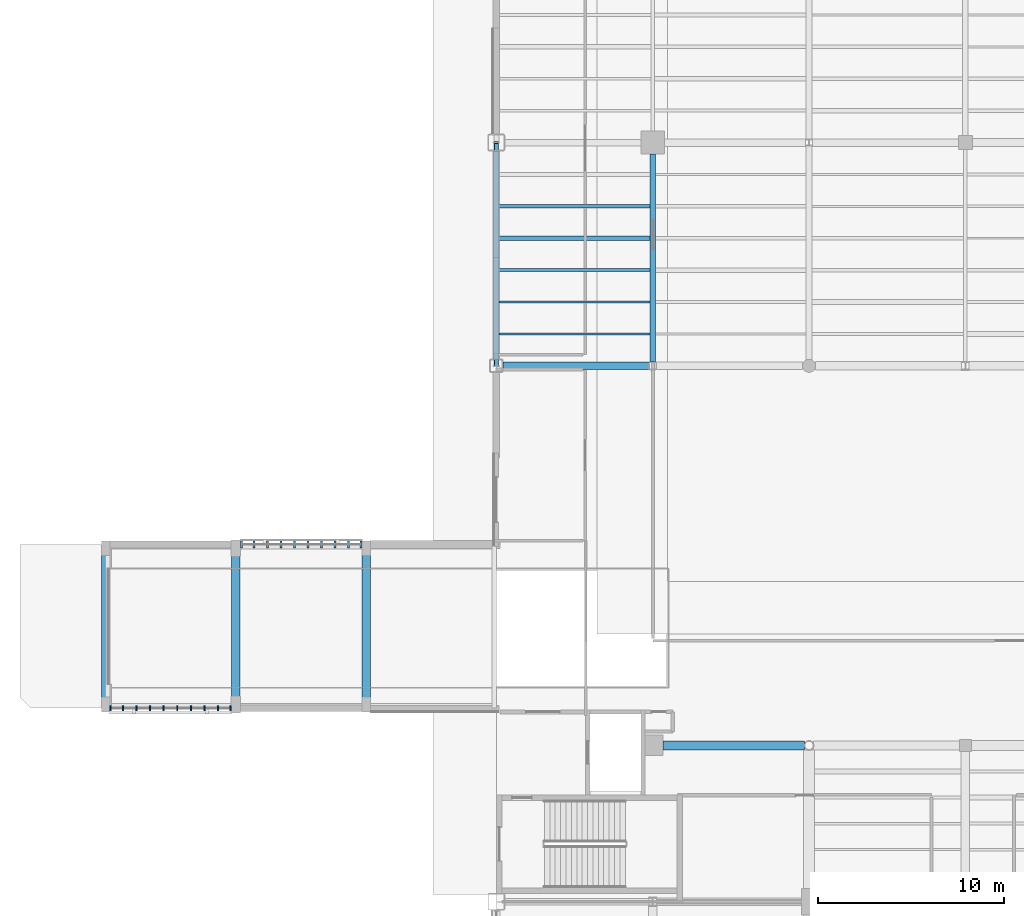
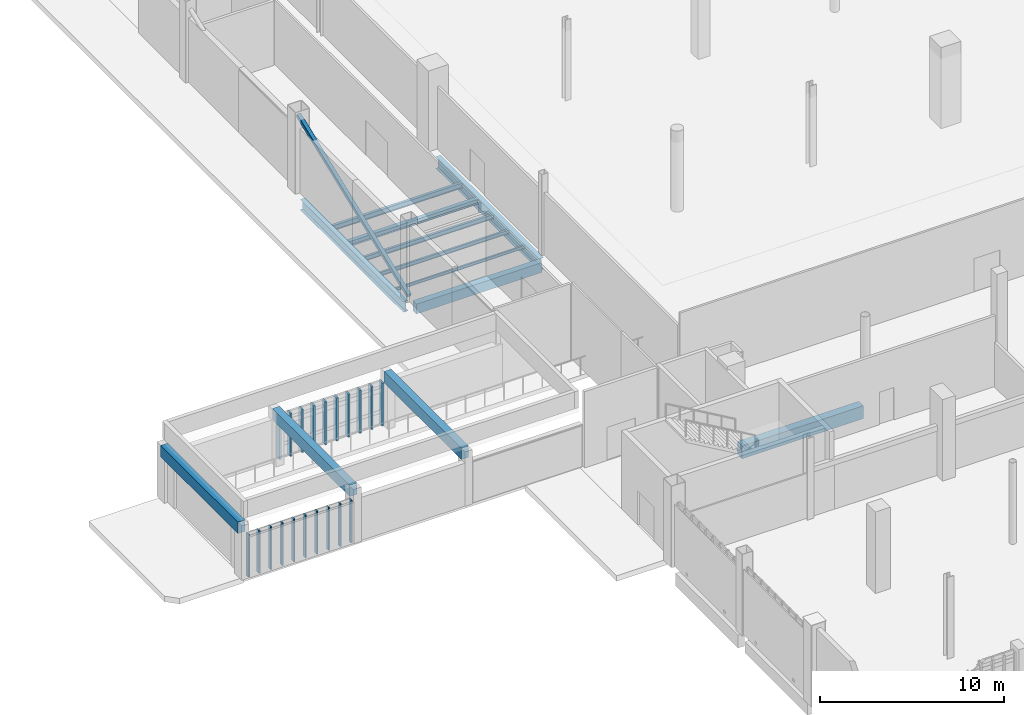
# One storey, part 16 of 111: 21 members, 12 beams, 2 elements without a shape of their own.
"""IFC4 building model written with IfcOpenShell, lengths in metres."""

from ifc_helpers import new_model, si_unit, direction, frame, origin, origin_2d, place, context, subcontext, project, spatial, rectangle, hollow_rectangle, i_section, extrude, material, material_profile, profile_set, type_object, element, aggregate, save


model = new_model("IFC4")

# Units and contexts
model_context = context("Model", 3, precision=1e-05, world=origin(), true_north=direction((0.0, 1.0)))
body_context = subcontext(model_context, "Body", "Model", "MODEL_VIEW")
ifc_project = project(units=[si_unit("LENGTHUNIT", "METRE"), si_unit("AREAUNIT", "SQUARE_METRE"), si_unit("VOLUMEUNIT", "CUBIC_METRE"), si_unit("PLANEANGLEUNIT", "RADIAN"), si_unit("MASSUNIT", "GRAM", prefix="KILO")], contexts=[model_context])

# Site, building, storey
site_placement = place(None, origin())
site = spatial("IfcSite", under=ifc_project, at=site_placement, CompositionType="ELEMENT")
building_placement = place(site_placement, origin())
building = spatial("IfcBuilding", under=site, at=building_placement, Name="Larkvane Passage Sports Hall", CompositionType="ELEMENT")
storey_placement = place(building_placement, origin())
storey = spatial("IfcBuildingStorey", under=building, at=storey_placement, Name="L00", CompositionType="ELEMENT", Elevation=0.0)

# Beams
ifc_material_1 = material(Name="Concrete C40/50", Category="concrete")
ifc_material_profile_1 = material_profile(ifc_material_1, rectangle(XDim=0.39990234375, YDim=0.64990234375, at=origin_2d()), Name="RC-BM-400x650")
ifc_profile_set_1 = profile_set([ifc_material_profile_1], Name="Concrete C40/50")
beam_type_1 = type_object("IfcBeamType", Name="BM-RC-400x650", PredefinedType="BEAM", material=ifc_profile_set_1)
beam_1_placement = place(storey_placement, frame((35.14990234375, 51.60009765625, -0.7451171875), z_axis=(1.0, 0.0, 0.0), x_axis=(0.0, 1.0, 0.0)))
element("IfcBeam", 1, at=beam_1_placement, inside=storey, type_object=beam_type_1, Name="Girder BM5-X-L00-G-0029", PredefinedType="BEAM", context=body_context, shape_type="SweptSolid", body=[
    extrude(rectangle(XDim=0.39990234375, YDim=0.64990234375, at=origin_2d()), origin(), (0.0, 0.0, 1.0), 7.85009765625),
])
ifc_material_profile_2 = material_profile(ifc_material_1, rectangle(XDim=0.449951171875, YDim=0.75, at=origin_2d()), Name="RC-BM-450x750")
ifc_profile_set_2 = profile_set([ifc_material_profile_2], Name="Concrete C40/50")
beam_type_2 = type_object("IfcBeamType", Name="BM-RC-450x750", PredefinedType="BEAM", material=ifc_profile_set_2)
for number, where, z_axis, x_axis, name in (
    (2, (13.800048828125, 33.39990234375, 3.22509765625), (0.0, 1.0, 0.0), (-1.0, 0.0, 0.0), "Ramp portal roof beam 3"),
    (3, (20.800048828125, 33.39990234375, 3.22509765625), (0.0, 1.0, 0.0), (-1.0, 0.0, 0.0), "Ramp portal roof beam 4"),
    (4, (27.800048828125, 33.39990234375, 3.22509765625), (0.0, 1.0, 0.0), (-1.0, 0.0, 0.0), "Ramp portal roof beam 5"),
):
    element("IfcBeam", number, at=place(storey_placement, frame(where, z_axis=z_axis, x_axis=x_axis)), inside=storey, type_object=beam_type_2, Name=name, PredefinedType="BEAM", context=body_context, shape_type="SweptSolid", body=[
        extrude(rectangle(XDim=0.449951171875, YDim=0.75, at=origin_2d()), origin(), (0.0, 0.0, 1.0), 8.400146484375),
    ])
ifc_material_profile_3 = material_profile(ifc_material_1, rectangle(XDim=0.5, YDim=0.85009765625, at=origin_2d()), Name="RC-BM-500x850")
ifc_profile_set_3 = profile_set([ifc_material_profile_3], Name="Concrete C40/50")
beam_type_3 = type_object("IfcBeamType", Name="BM-RC-500x850", PredefinedType="BEAM", material=ifc_profile_set_3)
beam_2_placement = place(storey_placement, frame((43.75, 31.199951171875, -0.844970703125), z_axis=(1.0, 0.0, 0.0), x_axis=(0.0, 1.0, 0.0)))
element("IfcBeam", 5, at=beam_2_placement, inside=storey, type_object=beam_type_3, Name="Girder BM5-X-L00-E-0020", PredefinedType="BEAM", context=body_context, shape_type="SweptSolid", body=[
    extrude(rectangle(XDim=0.5, YDim=0.85009765625, at=origin_2d()), origin(), (0.0, 0.0, 1.0), 7.595947265625),
])
ifc_material_2 = material(Name="Steel S460N", Category="steel")
ifc_material_profile_4 = material_profile(ifc_material_2, i_section(OverallWidth=0.300048828125, OverallDepth=0.699951171875, WebThickness=0.012939453125, FlangeThickness=0.02392578125, FilletRadius=0.02197265625, at=origin_2d()), Name="H-700x300x13x24")
ifc_profile_set_4 = profile_set([ifc_material_profile_4], Name="Steel S460N")
beam_type_4 = type_object("IfcBeamType", Name="BM-STL-H700", PredefinedType="BEAM", material=ifc_profile_set_4)
beam_3_placement = place(storey_placement, frame((34.800048828125, 51.949951171875, -0.77001953125), z_axis=(0.0, 1.0, 0.0), x_axis=(-1.0, 0.0, 0.0)))
element("IfcBeam", 6, at=beam_3_placement, inside=storey, type_object=beam_type_4, Name="Girder BM5-Y-L00-6-0079", PredefinedType="BEAM", context=body_context, shape_type="SweptSolid", body=[
    extrude(i_section(OverallWidth=0.300048828125, OverallDepth=0.699951171875, WebThickness=0.012939453125, FlangeThickness=0.02392578125, FilletRadius=0.02197265625, at=origin_2d()), origin(), (0.0, 0.0, 1.0), 11.199951171875),
])
ifc_material_profile_5 = material_profile(ifc_material_2, i_section(OverallWidth=0.300048828125, OverallDepth=0.7919921875, WebThickness=0.013916015625, FlangeThickness=0.02197265625, FilletRadius=0.02197265625, at=origin_2d()), Name="H-792x300x14x22")
ifc_profile_set_5 = profile_set([ifc_material_profile_5], Name="Steel S460N")
beam_type_5 = type_object("IfcBeamType", Name="BM-STL-H792", PredefinedType="BEAM", material=ifc_profile_set_5)
beam_4_placement = place(storey_placement, frame((43.199951171875, 51.800048828125, -0.81591796875), z_axis=(0.0, 1.0, 0.0), x_axis=(-1.0, 0.0, 0.0)))
element("IfcBeam", 7, at=beam_4_placement, inside=storey, type_object=beam_type_5, Name="Girder BM5-Y-L00-7-0084", PredefinedType="BEAM", context=body_context, shape_type="SweptSolid", body=[
    extrude(i_section(OverallWidth=0.300048828125, OverallDepth=0.7919921875, WebThickness=0.013916015625, FlangeThickness=0.02197265625, FilletRadius=0.02197265625, at=origin_2d()), origin(), (0.0, 0.0, 1.0), 11.175048828125),
])

# Curtain wall, members
ifc_material_3 = material(Name="Thermally broken aluminium and low-E glazing", Category="aluminium")
curtain_wall_type_1 = type_object("IfcCurtainWallType", Name="CW-CLINIC", PredefinedType="USERDEFINED", material=ifc_material_3)
curtain_wall_1_placement = place(storey_placement, origin())
curtain_wall_1 = element("IfcCurtainWall", 8, at=curtain_wall_1_placement, inside=storey, type_object=curtain_wall_type_1, Name="Curtain wall CW5-L00-007", ObjectType="UNITISED CURTAIN WALL", PredefinedType="USERDEFINED")
ifc_material_4 = material(Name="Anodised aluminium 6063-T6", Category="aluminium")
ifc_material_profile_6 = material_profile(ifc_material_4, rectangle(XDim=0.110107421875, YDim=0.360107421875, at=origin_2d()), Name="ALU-MUL-110x360")
ifc_profile_set_6 = profile_set([ifc_material_profile_6], Name="Anodised aluminium 6063-T6")
member_type_1 = type_object("IfcMemberType", Name="CW-MUL-110x360", PredefinedType="MULLION", material=ifc_profile_set_6)
member_1_placement = place(storey_placement, frame((21.10107421875, 42.0, 0.0), z_axis=(0.0, 0.0, 1.0), x_axis=(1.0, 0.0, 0.0)))
member_1 = element("IfcMember", 9, at=member_1_placement, type_object=member_type_1, Name="CW-05 mullion 1", PredefinedType="MULLION", context=body_context, shape_type="SweptSolid", body=[
    extrude(rectangle(XDim=0.110107421875, YDim=0.360107421875, at=origin_2d()), origin(), (0.0, 0.0, 1.0), 2.837890625),
])
member_2_placement = place(storey_placement, frame((21.77197265625, 42.0, 0.0), z_axis=(0.0, 0.0, 1.0), x_axis=(1.0, 0.0, 0.0)))
member_2 = element("IfcMember", 10, at=member_2_placement, type_object=member_type_1, Name="CW-05 mullion 2", PredefinedType="MULLION", context=body_context, shape_type="SweptSolid", body=[
    extrude(rectangle(XDim=0.110107421875, YDim=0.360107421875, at=origin_2d()), origin(), (0.0, 0.0, 1.0), 2.837890625),
])
member_3_placement = place(storey_placement, frame((22.497802734375, 42.0, 0.0), z_axis=(0.0, 0.0, 1.0), x_axis=(1.0, 0.0, 0.0)))
member_3 = element("IfcMember", 11, at=member_3_placement, type_object=member_type_1, Name="CW-05 mullion 3", PredefinedType="MULLION", context=body_context, shape_type="SweptSolid", body=[
    extrude(rectangle(XDim=0.110107421875, YDim=0.360107421875, at=origin_2d()), origin(), (0.0, 0.0, 1.0), 2.837890625),
])
member_4_placement = place(storey_placement, frame((23.2236328125, 42.0, 0.0), z_axis=(0.0, 0.0, 1.0), x_axis=(1.0, 0.0, 0.0)))
member_4 = element("IfcMember", 12, at=member_4_placement, type_object=member_type_1, Name="CW-05 mullion 4", PredefinedType="MULLION", context=body_context, shape_type="SweptSolid", body=[
    extrude(rectangle(XDim=0.110107421875, YDim=0.360107421875, at=origin_2d()), origin(), (0.0, 0.0, 1.0), 2.837890625),
])
member_5_placement = place(storey_placement, frame((23.949462890625, 42.0, 0.0), z_axis=(0.0, 0.0, 1.0), x_axis=(1.0, 0.0, 0.0)))
member_5 = element("IfcMember", 13, at=member_5_placement, type_object=member_type_1, Name="CW-05 mullion 5", PredefinedType="MULLION", context=body_context, shape_type="SweptSolid", body=[
    extrude(rectangle(XDim=0.110107421875, YDim=0.360107421875, at=origin_2d()), origin(), (0.0, 0.0, 1.0), 2.837890625),
])
member_6_placement = place(storey_placement, frame((24.675537109375, 42.0, 0.0), z_axis=(0.0, 0.0, 1.0), x_axis=(1.0, 0.0, 0.0)))
member_6 = element("IfcMember", 14, at=member_6_placement, type_object=member_type_1, Name="CW-05 mullion 6", PredefinedType="MULLION", context=body_context, shape_type="SweptSolid", body=[
    extrude(rectangle(XDim=0.110107421875, YDim=0.360107421875, at=origin_2d()), origin(), (0.0, 0.0, 1.0), 2.837890625),
])
member_7_placement = place(storey_placement, frame((25.4013671875, 42.0, 0.0), z_axis=(0.0, 0.0, 1.0), x_axis=(1.0, 0.0, 0.0)))
member_7 = element("IfcMember", 15, at=member_7_placement, type_object=member_type_1, Name="CW-05 mullion 7", PredefinedType="MULLION", context=body_context, shape_type="SweptSolid", body=[
    extrude(rectangle(XDim=0.110107421875, YDim=0.360107421875, at=origin_2d()), origin(), (0.0, 0.0, 1.0), 2.837890625),
])
member_8_placement = place(storey_placement, frame((26.127197265625, 42.0, 0.0), z_axis=(0.0, 0.0, 1.0), x_axis=(1.0, 0.0, 0.0)))
member_8 = element("IfcMember", 16, at=member_8_placement, type_object=member_type_1, Name="CW-05 mullion 8", PredefinedType="MULLION", context=body_context, shape_type="SweptSolid", body=[
    extrude(rectangle(XDim=0.110107421875, YDim=0.360107421875, at=origin_2d()), origin(), (0.0, 0.0, 1.0), 2.837890625),
])
member_9_placement = place(storey_placement, frame((26.85302734375, 42.0, 0.0), z_axis=(0.0, 0.0, 1.0), x_axis=(1.0, 0.0, 0.0)))
member_9 = element("IfcMember", 17, at=member_9_placement, type_object=member_type_1, Name="CW-05 mullion 9", PredefinedType="MULLION", context=body_context, shape_type="SweptSolid", body=[
    extrude(rectangle(XDim=0.110107421875, YDim=0.360107421875, at=origin_2d()), origin(), (0.0, 0.0, 1.0), 2.837890625),
])
member_10_placement = place(storey_placement, frame((27.52392578125, 42.0, 0.0), z_axis=(0.0, 0.0, 1.0), x_axis=(1.0, 0.0, 0.0)))
member_10 = element("IfcMember", 18, at=member_10_placement, type_object=member_type_1, Name="CW-05 mullion 10", PredefinedType="MULLION", context=body_context, shape_type="SweptSolid", body=[
    extrude(rectangle(XDim=0.110107421875, YDim=0.360107421875, at=origin_2d()), origin(), (0.0, 0.0, 1.0), 2.837890625),
])
aggregate(curtain_wall_1, [member_1, member_2, member_3, member_4, member_5, member_6, member_7, member_8, member_9, member_10])

curtain_wall_type_2 = type_object("IfcCurtainWallType", Name="CW-STICK-FOYER", PredefinedType="USERDEFINED", material=ifc_material_3)
curtain_wall_2_placement = place(storey_placement, origin())
curtain_wall_2 = element("IfcCurtainWall", 19, at=curtain_wall_2_placement, inside=storey, type_object=curtain_wall_type_2, Name="Curtain wall CW5-L00-006", ObjectType="STICK CURTAIN WALL", PredefinedType="USERDEFINED")
ifc_material_profile_7 = material_profile(ifc_material_4, rectangle(XDim=0.080078125, YDim=0.25, at=origin_2d()), Name="ALU-MUL-80x250")
ifc_profile_set_7 = profile_set([ifc_material_profile_7], Name="Anodised aluminium 6063-T6")
member_type_2 = type_object("IfcMemberType", Name="CW-MUL-80x250", PredefinedType="MULLION", material=ifc_profile_set_7)
member_11_placement = place(storey_placement, frame((20.513916015625, 33.199951171875, 0.0), z_axis=(0.0, 0.0, 1.0), x_axis=(-1.0, 0.0, 0.0)))
member_11 = element("IfcMember", 20, at=member_11_placement, type_object=member_type_2, Name="CW-03 mullion 1", PredefinedType="MULLION", context=body_context, shape_type="SweptSolid", body=[
    extrude(rectangle(XDim=0.080078125, YDim=0.25, at=origin_2d()), origin(), (0.0, 0.0, 1.0), 2.837890625),
])
member_12_placement = place(storey_placement, frame((19.828125, 33.199951171875, 0.0), z_axis=(0.0, 0.0, 1.0), x_axis=(-1.0, 0.0, 0.0)))
member_12 = element("IfcMember", 21, at=member_12_placement, type_object=member_type_2, Name="CW-03 mullion 2", PredefinedType="MULLION", context=body_context, shape_type="SweptSolid", body=[
    extrude(rectangle(XDim=0.080078125, YDim=0.25, at=origin_2d()), origin(), (0.0, 0.0, 1.0), 2.837890625),
])
member_13_placement = place(storey_placement, frame((19.102294921875, 33.199951171875, 0.0), z_axis=(0.0, 0.0, 1.0), x_axis=(-1.0, 0.0, 0.0)))
member_13 = element("IfcMember", 22, at=member_13_placement, type_object=member_type_2, Name="CW-03 mullion 3", PredefinedType="MULLION", context=body_context, shape_type="SweptSolid", body=[
    extrude(rectangle(XDim=0.080078125, YDim=0.25, at=origin_2d()), origin(), (0.0, 0.0, 1.0), 2.837890625),
])
member_14_placement = place(storey_placement, frame((18.376220703125, 33.199951171875, 0.0), z_axis=(0.0, 0.0, 1.0), x_axis=(-1.0, 0.0, 0.0)))
member_14 = element("IfcMember", 23, at=member_14_placement, type_object=member_type_2, Name="CW-03 mullion 4", PredefinedType="MULLION", context=body_context, shape_type="SweptSolid", body=[
    extrude(rectangle(XDim=0.080078125, YDim=0.25, at=origin_2d()), origin(), (0.0, 0.0, 1.0), 2.837890625),
])
member_15_placement = place(storey_placement, frame((17.650390625, 33.199951171875, 0.0), z_axis=(0.0, 0.0, 1.0), x_axis=(-1.0, 0.0, 0.0)))
member_15 = element("IfcMember", 24, at=member_15_placement, type_object=member_type_2, Name="CW-03 mullion 5", PredefinedType="MULLION", context=body_context, shape_type="SweptSolid", body=[
    extrude(rectangle(XDim=0.080078125, YDim=0.25, at=origin_2d()), origin(), (0.0, 0.0, 1.0), 2.837890625),
])
member_16_placement = place(storey_placement, frame((16.924560546875, 33.199951171875, 0.0), z_axis=(0.0, 0.0, 1.0), x_axis=(-1.0, 0.0, 0.0)))
member_16 = element("IfcMember", 25, at=member_16_placement, type_object=member_type_2, Name="CW-03 mullion 6", PredefinedType="MULLION", context=body_context, shape_type="SweptSolid", body=[
    extrude(rectangle(XDim=0.080078125, YDim=0.25, at=origin_2d()), origin(), (0.0, 0.0, 1.0), 2.837890625),
])
member_17_placement = place(storey_placement, frame((16.19873046875, 33.199951171875, 0.0), z_axis=(0.0, 0.0, 1.0), x_axis=(-1.0, 0.0, 0.0)))
member_17 = element("IfcMember", 26, at=member_17_placement, type_object=member_type_2, Name="CW-03 mullion 7", PredefinedType="MULLION", context=body_context, shape_type="SweptSolid", body=[
    extrude(rectangle(XDim=0.080078125, YDim=0.25, at=origin_2d()), origin(), (0.0, 0.0, 1.0), 2.837890625),
])
member_18_placement = place(storey_placement, frame((15.47265625, 33.199951171875, 0.0), z_axis=(0.0, 0.0, 1.0), x_axis=(-1.0, 0.0, 0.0)))
member_18 = element("IfcMember", 27, at=member_18_placement, type_object=member_type_2, Name="CW-03 mullion 8", PredefinedType="MULLION", context=body_context, shape_type="SweptSolid", body=[
    extrude(rectangle(XDim=0.080078125, YDim=0.25, at=origin_2d()), origin(), (0.0, 0.0, 1.0), 2.837890625),
])
member_19_placement = place(storey_placement, frame((14.746826171875, 33.199951171875, 0.0), z_axis=(0.0, 0.0, 1.0), x_axis=(-1.0, 0.0, 0.0)))
member_19 = element("IfcMember", 28, at=member_19_placement, type_object=member_type_2, Name="CW-03 mullion 9", PredefinedType="MULLION", context=body_context, shape_type="SweptSolid", body=[
    extrude(rectangle(XDim=0.080078125, YDim=0.25, at=origin_2d()), origin(), (0.0, 0.0, 1.0), 2.837890625),
])
member_20_placement = place(storey_placement, frame((14.06103515625, 33.199951171875, 0.0), z_axis=(0.0, 0.0, 1.0), x_axis=(-1.0, 0.0, 0.0)))
member_20 = element("IfcMember", 29, at=member_20_placement, type_object=member_type_2, Name="CW-03 mullion 10", PredefinedType="MULLION", context=body_context, shape_type="SweptSolid", body=[
    extrude(rectangle(XDim=0.080078125, YDim=0.25, at=origin_2d()), origin(), (0.0, 0.0, 1.0), 2.837890625),
])
aggregate(curtain_wall_2, [member_11, member_12, member_13, member_14, member_15, member_16, member_17, member_18, member_19, member_20])

# Beams
ifc_material_5 = material(Name="Steel S355JR", Category="steel")
ifc_material_profile_8 = material_profile(ifc_material_5, i_section(OverallWidth=0.10009765625, OverallDepth=0.199951171875, WebThickness=0.005615234375, FlangeThickness=0.008056640625, FilletRadius=0.008056640625, at=origin_2d()), Name="H-200x100x5.5x8")
ifc_profile_set_8 = profile_set([ifc_material_profile_8], Name="Steel S355JR")
beam_type_6 = type_object("IfcBeamType", Name="JST-STL-H200", PredefinedType="JOIST", material=ifc_profile_set_8)
beam_5_placement = place(storey_placement, frame((34.949951171875, 53.314208984375, -0.52001953125), z_axis=(1.0, 0.0, 0.0), x_axis=(0.0, 1.0, 0.0)))
element("IfcBeam", 30, at=beam_5_placement, inside=storey, type_object=beam_type_6, Name="Composite joist L00 6/G-1", PredefinedType="JOIST", context=body_context, shape_type="SweptSolid", body=[
    extrude(i_section(OverallWidth=0.10009765625, OverallDepth=0.199951171875, WebThickness=0.005615234375, FlangeThickness=0.008056640625, FilletRadius=0.008056640625, at=origin_2d()), origin(), (0.0, 0.0, 1.0), 8.10009765625),
])
ifc_material_profile_9 = material_profile(ifc_material_5, i_section(OverallWidth=0.125, OverallDepth=0.25, WebThickness=0.006103515625, FlangeThickness=0.009033203125, FilletRadius=0.008056640625, at=origin_2d()), Name="H-250x125x6x9")
ifc_profile_set_9 = profile_set([ifc_material_profile_9], Name="Steel S355JR")
beam_type_7 = type_object("IfcBeamType", Name="JST-STL-H250", PredefinedType="JOIST", material=ifc_profile_set_9)
beam_6_placement = place(storey_placement, frame((34.949951171875, 55.028564453125, -0.544921875), z_axis=(1.0, 0.0, 0.0), x_axis=(0.0, 1.0, 0.0)))
element("IfcBeam", 31, at=beam_6_placement, inside=storey, type_object=beam_type_7, Name="Composite joist L00 6/G-2", PredefinedType="JOIST", context=body_context, shape_type="SweptSolid", body=[
    extrude(i_section(OverallWidth=0.125, OverallDepth=0.25, WebThickness=0.006103515625, FlangeThickness=0.009033203125, FilletRadius=0.008056640625, at=origin_2d()), origin(), (0.0, 0.0, 1.0), 8.10009765625),
])
ifc_material_profile_10 = material_profile(ifc_material_5, i_section(OverallWidth=0.14990234375, OverallDepth=0.300048828125, WebThickness=0.006591796875, FlangeThickness=0.009033203125, FilletRadius=0.012939453125, at=origin_2d()), Name="H-300x150x6.5x9")
ifc_profile_set_10 = profile_set([ifc_material_profile_10], Name="Steel S355JR")
beam_type_8 = type_object("IfcBeamType", Name="JST-STL-H300", PredefinedType="JOIST", material=ifc_profile_set_10)
beam_7_placement = place(storey_placement, frame((34.949951171875, 56.742919921875, -0.570068359375), z_axis=(1.0, 0.0, 0.0), x_axis=(0.0, 1.0, 0.0)))
element("IfcBeam", 32, at=beam_7_placement, inside=storey, type_object=beam_type_8, Name="Composite joist L00 6/G-3", PredefinedType="JOIST", context=body_context, shape_type="SweptSolid", body=[
    extrude(i_section(OverallWidth=0.14990234375, OverallDepth=0.300048828125, WebThickness=0.006591796875, FlangeThickness=0.009033203125, FilletRadius=0.012939453125, at=origin_2d()), origin(), (0.0, 0.0, 1.0), 8.10009765625),
])
ifc_material_profile_11 = material_profile(ifc_material_5, i_section(OverallWidth=0.25, OverallDepth=0.340087890625, WebThickness=0.009033203125, FlangeThickness=0.013916015625, FilletRadius=0.012939453125, at=origin_2d()), Name="H-340x250x9x14")
ifc_profile_set_11 = profile_set([ifc_material_profile_11], Name="Steel S355JR")
beam_type_9 = type_object("IfcBeamType", Name="JST-STL-H340", PredefinedType="JOIST", material=ifc_profile_set_11)
beam_8_placement = place(storey_placement, frame((34.949951171875, 58.45703125, -0.590087890625), z_axis=(1.0, 0.0, 0.0), x_axis=(0.0, 1.0, 0.0)))
element("IfcBeam", 33, at=beam_8_placement, inside=storey, type_object=beam_type_9, Name="Composite joist L00 6/G-4", PredefinedType="JOIST", context=body_context, shape_type="SweptSolid", body=[
    extrude(i_section(OverallWidth=0.25, OverallDepth=0.340087890625, WebThickness=0.009033203125, FlangeThickness=0.013916015625, FilletRadius=0.012939453125, at=origin_2d()), origin(), (0.0, 0.0, 1.0), 8.10009765625),
])
ifc_material_profile_12 = material_profile(ifc_material_5, i_section(OverallWidth=0.175048828125, OverallDepth=0.35009765625, WebThickness=0.007080078125, FlangeThickness=0.010986328125, FilletRadius=0.012939453125, at=origin_2d()), Name="H-350x175x7x11")
ifc_profile_set_12 = profile_set([ifc_material_profile_12], Name="Steel S355JR")
beam_type_10 = type_object("IfcBeamType", Name="JST-STL-H350", PredefinedType="JOIST", material=ifc_profile_set_12)
beam_9_placement = place(storey_placement, frame((34.949951171875, 60.17138671875, -0.594970703125), z_axis=(1.0, 0.0, 0.0), x_axis=(0.0, 1.0, 0.0)))
element("IfcBeam", 34, at=beam_9_placement, inside=storey, type_object=beam_type_10, Name="Composite joist L00 6/G-5", PredefinedType="JOIST", context=body_context, shape_type="SweptSolid", body=[
    extrude(i_section(OverallWidth=0.175048828125, OverallDepth=0.35009765625, WebThickness=0.007080078125, FlangeThickness=0.010986328125, FilletRadius=0.012939453125, at=origin_2d()), origin(), (0.0, 0.0, 1.0), 8.10009765625),
])

# Member
ifc_material_profile_13 = material_profile(ifc_material_2, hollow_rectangle(XDim=0.25, YDim=0.25, WallThickness=0.011962890625, InnerFilletRadius=0.011962890625, OuterFilletRadius=0.02392578125, at=origin_2d()), Name="SHS-250x250x12")
ifc_profile_set_13 = profile_set([ifc_material_profile_13], Name="Steel S460N")
member_type_3 = type_object("IfcMemberType", Name="MBR-BR-SHS250", PredefinedType="BRACE", material=ifc_profile_set_13)
member_21_placement = place(storey_placement, frame((34.800048828125, 51.60009765625, 0.14990234375), z_axis=(0.0, 0.931123104416, 0.364705037561), x_axis=(-1.0, 0.0, 0.0)))
element("IfcMember", 35, at=member_21_placement, inside=storey, type_object=member_type_3, Name="Lateral frame brace L00-1", PredefinedType="BRACE", context=body_context, shape_type="SweptSolid", body=[
    extrude(hollow_rectangle(XDim=0.25, YDim=0.25, WallThickness=0.011962890625, InnerFilletRadius=0.011962890625, OuterFilletRadius=0.02392578125, at=origin_2d()), origin(), (0.0, 0.0, 1.0), 12.8876953125),
])

save(model, "model.ifc")
